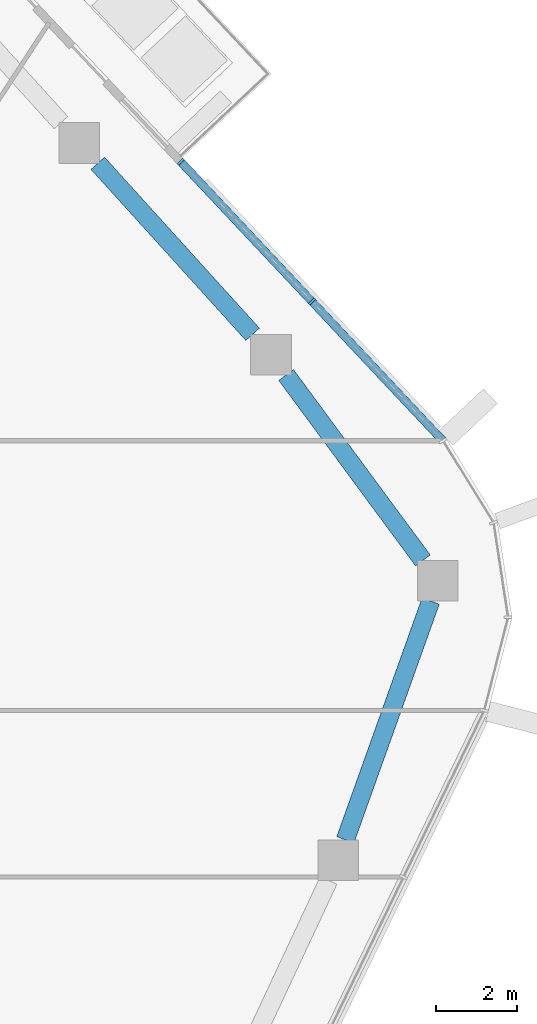
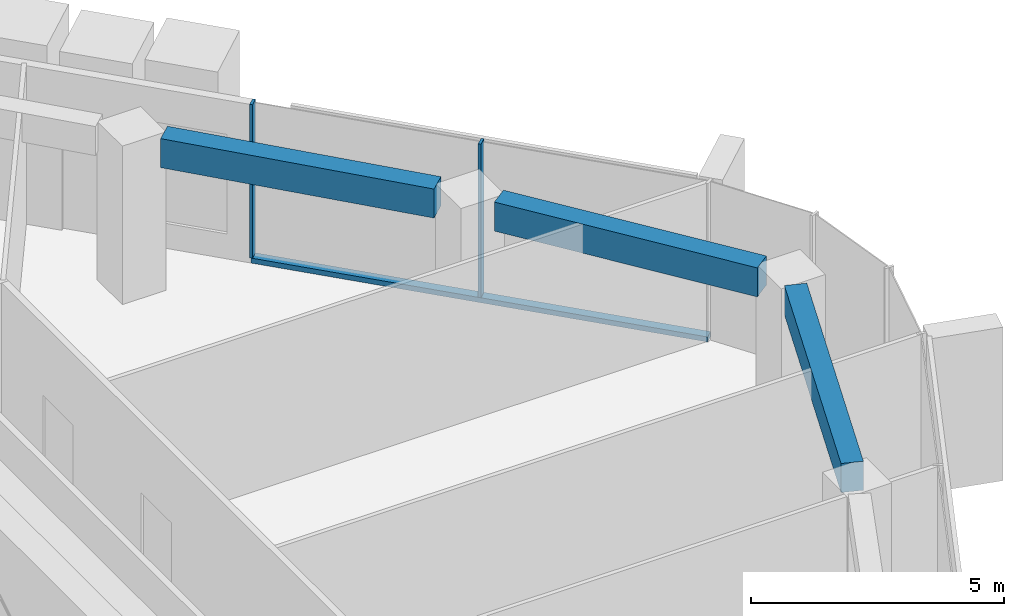
# One storey, part 8 of 24: 3 beams, 3 members, 1 element without a shape of its own.
"""IFC4 building model written with IfcOpenShell, lengths in metres."""

from ifc_helpers import new_model, si_unit, direction, frame, origin, origin_2d, place, context, subcontext, project, spatial, rectangle, extrude, material, layer, layer_set, material_profile, profile_set, type_object, element, aggregate, save


model = new_model("IFC4")

# Units and contexts
model_context = context("Model", 3, precision=1e-05, world=origin(), true_north=direction((0.0, 1.0)))
body_context = subcontext(model_context, "Body", "Model", "MODEL_VIEW")
ifc_project = project(units=[si_unit("LENGTHUNIT", "METRE"), si_unit("AREAUNIT", "SQUARE_METRE"), si_unit("VOLUMEUNIT", "CUBIC_METRE"), si_unit("PLANEANGLEUNIT", "RADIAN"), si_unit("MASSUNIT", "GRAM", prefix="KILO")], contexts=[model_context])

# Site, building, storey
site_placement = place(None, origin())
site = spatial("IfcSite", under=ifc_project, at=site_placement, CompositionType="ELEMENT")
building_placement = place(site_placement, origin())
building = spatial("IfcBuilding", under=site, at=building_placement, Name="Dongbaek Canopy Tower", CompositionType="ELEMENT")
storey_placement = place(building_placement, frame((0.0, 0.0, 302.60009765625)))
storey = spatial("IfcBuildingStorey", under=building, at=storey_placement, Name="L64", CompositionType="ELEMENT", Elevation=302.60009765625)

# Curtain wall, members
ifc_material_1 = material(Name="Aluminium 6063-T6 pale anodised", Category="aluminium")
ifc_layer = layer(ifc_material_1, 0.199951171875)
ifc_layer_set = layer_set([ifc_layer], Name="CW-1 unitised tower curtain wall")
curtain_wall_type = type_object("IfcCurtainWallType", Name="CW-1 unitised tower curtain wall", PredefinedType="NOTDEFINED", material=ifc_layer_set)
curtain_wall_placement = place(storey_placement, origin())
curtain_wall = element("IfcCurtainWall", 1, at=curtain_wall_placement, inside=storey, type_object=curtain_wall_type, Name="CW-1 curtain wall F0.1", PredefinedType="NOTDEFINED")
ifc_material_2 = material(Name="Aluminium 6063-T6 pale anodised", Category="aluminium")
ifc_material_profile_1 = material_profile(ifc_material_2, rectangle(XDim=0.199951171875, YDim=0.06005859375, at=origin_2d()), Name="CW-1 mullion 60 x 200")
ifc_profile_set_1 = profile_set([ifc_material_profile_1], Name="Aluminium 6063-T6 pale anodised")
member_type_1 = type_object("IfcMemberType", Name="CW-1 mullion 60 x 200", PredefinedType="MULLION", material=ifc_profile_set_1)
member_1_placement = place(storey_placement, frame((27.709716796875, 13.56640625, 0.119873046875), z_axis=(0.0, 0.0, 1.0), x_axis=(0.728702280393, 0.684830626177, 0.0)))
member_1 = element("IfcMember", 2, at=member_1_placement, type_object=member_type_1, Name="CW-1 mullion F0.1.2", PredefinedType="MULLION", context=body_context, shape_type="SweptSolid", body=[
    extrude(rectangle(XDim=0.199951171875, YDim=0.06005859375, at=origin_2d()), origin(), (0.0, 0.0, 1.0), 3.699951171875),
])
member_2_placement = place(storey_placement, frame((24.482421875, 17.000244140625, 0.119873046875), z_axis=(0.0, 0.0, 1.0), x_axis=(0.728702280393, 0.684830626177, 0.0)))
member_2 = element("IfcMember", 3, at=member_2_placement, type_object=member_type_1, Name="CW-1 mullion F0.1.3", PredefinedType="MULLION", context=body_context, shape_type="SweptSolid", body=[
    extrude(rectangle(XDim=0.199951171875, YDim=0.06005859375, at=origin_2d()), origin(), (0.0, 0.0, 1.0), 3.699951171875),
])
ifc_material_3 = material(Name="Aluminium 6063-T6 pale anodised", Category="aluminium")
ifc_material_profile_2 = material_profile(ifc_material_3, rectangle(XDim=0.199951171875, YDim=0.1201171875, at=origin_2d()), Name="CW-1 transom 120 x 200")
ifc_profile_set_2 = profile_set([ifc_material_profile_2], Name="Aluminium 6063-T6 pale anodised")
member_type_2 = type_object("IfcMemberType", Name="CW-1 transom 120 x 200", PredefinedType="USERDEFINED", material=ifc_profile_set_2)
member_3_placement = place(storey_placement, frame((30.93017578125, 10.1396484375, 0.059814453125), z_axis=(-0.684841997746, 0.728691593285, 0.0), x_axis=(-0.728691593285, -0.684841997746, 0.0)))
member_3 = element("IfcMember", 4, at=member_3_placement, type_object=member_type_2, Name="CW-1 transom F0.1.1", ObjectType="TRANSOM", PredefinedType="USERDEFINED", context=body_context, shape_type="SweptSolid", body=[
    extrude(rectangle(XDim=0.199951171875, YDim=0.1201171875, at=origin_2d()), origin(), (0.0, 0.0, 1.0), 9.4150390625),
])
aggregate(curtain_wall, [member_1, member_2, member_3])

# Beams
ifc_material_4 = material(Name="Concrete C60", Category="concrete")
ifc_material_profile_3 = material_profile(ifc_material_4, rectangle(XDim=0.449951171875, YDim=0.699951171875, at=origin_2d()), Name="RC EDGE BEAM 450x700 C60")
ifc_profile_set_3 = profile_set([ifc_material_profile_3], Name="Concrete C60")
beam_type = type_object("IfcBeamType", Name="RC EDGE BEAM 450x700 C60", PredefinedType="BEAM", material=ifc_profile_set_3)
beam_1_placement = place(storey_placement, frame((22.442626953125, 16.9619140625, 3.469970703125), z_axis=(0.671227680473, -0.741251240112, 0.0), x_axis=(0.741251240112, 0.671227680473, 0.0)))
element("IfcBeam", 5, at=beam_1_placement, inside=storey, type_object=beam_type, Name="EDGEBEAM:L64:19", PredefinedType="BEAM", context=body_context, shape_type="SweptSolid", body=[
    extrude(rectangle(XDim=0.449951171875, YDim=0.699951171875, at=origin_2d()), origin(), (0.0, 0.0, 1.0), 5.672607421875),
])
beam_2_placement = place(storey_placement, frame((27.072021484375, 11.757080078125, 3.469970703125), z_axis=(0.593735402363, -0.804660345724, 0.0), x_axis=(0.804660345724, 0.593735402363, 0.0)))
element("IfcBeam", 6, at=beam_2_placement, inside=storey, type_object=beam_type, Name="EDGEBEAM:L64:20", PredefinedType="BEAM", context=body_context, shape_type="SweptSolid", body=[
    extrude(rectangle(XDim=0.449951171875, YDim=0.699951171875, at=origin_2d()), origin(), (0.0, 0.0, 1.0), 5.665771484375),
])
beam_3_placement = place(storey_placement, frame((30.626220703125, 6.197998046875, 3.469970703125), z_axis=(-0.336443121865, -0.941703788752, 0.0), x_axis=(0.941703788752, -0.336443121865, 0.0)))
element("IfcBeam", 7, at=beam_3_placement, inside=storey, type_object=beam_type, Name="EDGEBEAM:L64:21", PredefinedType="BEAM", context=body_context, shape_type="SweptSolid", body=[
    extrude(rectangle(XDim=0.449951171875, YDim=0.699951171875, at=origin_2d()), origin(), (0.0, 0.0, 1.0), 6.231201171875),
])

save(model, "model.ifc")
